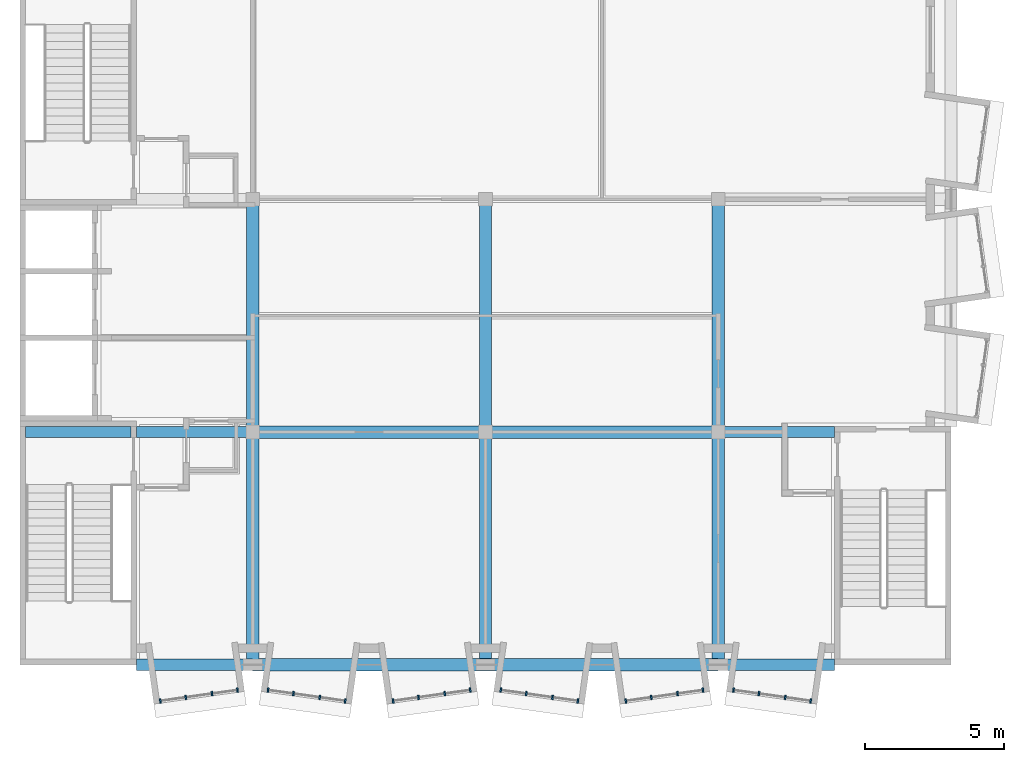
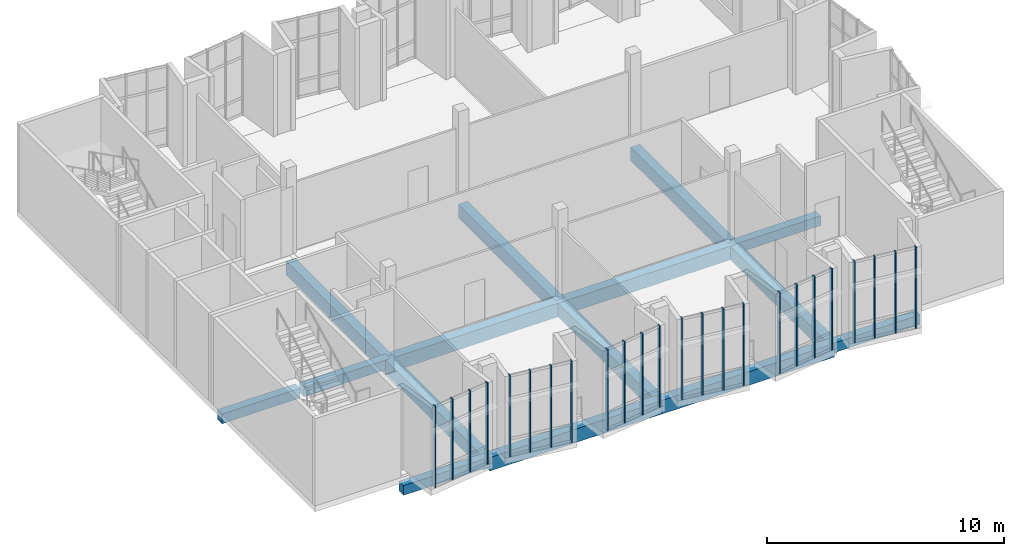
# One storey, part 2 of 18: 24 members, 15 beams, 6 elements without a shape of their own.
"""IFC4 building model written with IfcOpenShell, lengths in metres."""

import ifcopenshell
import ifcopenshell.guid

model = None  # the IFC model being written
_history = None  # IfcOwnerHistory: only IFC2X3 demands one
_inside = {}  # id of a spatial element -> (the spatial element, [elements in it])
_under = {}  # id of a project, library or spatial element -> (it, [spatial elements below it])
_declared = {}  # id of a project -> (the project, [libraries it declares])
_typed = {}  # id of a type object -> (the type object, [elements of that type])
_made_of = {}  # id of a material, layer set ... -> (it, [elements and type objects made of it])


def new_model(schema):
    """Start an empty IFC model of exactly this schema.

    Asked for "IFC4X3", IfcOpenShell would pick the latest addendum, in which some entities
    have other attributes; the version numbers below select the first issue.
    IFC2X3 requires an IfcOwnerHistory on every rooted entity: one is made here for all.
    """
    global model, _history
    if schema == "IFC4X3":
        model = ifcopenshell.file(schema_version=(4, 3, 0, 0))
    else:
        model = ifcopenshell.file(schema=schema)
    _inside.clear()
    _under.clear()
    _declared.clear()
    _typed.clear()
    _made_of.clear()
    _history = None
    if model.schema == "IFC2X3":
        org = make("IfcOrganization", Name="unknown")
        user = make(
            "IfcPersonAndOrganization",
            ThePerson=make("IfcPerson", FamilyName="unknown"),
            TheOrganization=org,
        )
        app = make(
            "IfcApplication",
            ApplicationDeveloper=org,
            Version="unknown",
            ApplicationFullName="unknown",
            ApplicationIdentifier="unknown",
        )
        _history = make(
            "IfcOwnerHistory",
            OwningUser=user,
            OwningApplication=app,
            ChangeAction="ADDED",
            CreationDate=0,
        )
    return model


def make(cls, **values):
    """One entity of the class cls with the attributes given. An attribute that is None is left unset."""
    return model.create_entity(
        cls, **{name: value for name, value in values.items() if value is not None}
    )


def rooted(cls, **values):
    """An entity with a GlobalId (a new one), such as an element, a storey or a relation."""
    return make(cls, GlobalId=ifcopenshell.guid.new(), OwnerHistory=_history, **values)


def si_unit(unit_type, name, prefix=None):
    """IfcSIUnit, for example si_unit("LENGTHUNIT", "METRE", prefix="MILLI")."""
    return make("IfcSIUnit", UnitType=unit_type, Prefix=prefix, Name=name)


def assignment(units):
    """IfcUnitAssignment: the units of a project."""
    return None if units is None else make("IfcUnitAssignment", Units=units)


def point(xyz):
    """IfcCartesianPoint."""
    return None if xyz is None else make("IfcCartesianPoint", Coordinates=xyz)


def direction(xyz):
    """IfcDirection."""
    return None if xyz is None else make("IfcDirection", DirectionRatios=xyz)


def frame(location, z_axis=None, x_axis=None):
    """IfcAxis2Placement3D, a coordinate frame: its origin and axes. An axis left out is left unset."""
    return make(
        "IfcAxis2Placement3D",
        Location=point(location),
        Axis=direction(z_axis),
        RefDirection=direction(x_axis),
    )


def frame_2d(location, x_axis=None):
    """IfcAxis2Placement2D, a coordinate frame in the plane: its origin and x axis."""
    return make(
        "IfcAxis2Placement2D", Location=point(location), RefDirection=direction(x_axis)
    )


def origin():
    """The frame at (0, 0, 0) with its axes left unset."""
    return frame((0.0, 0.0, 0.0))


def origin_2d():
    """The frame at (0, 0) in the plane with its x axis left unset."""
    return frame_2d((0.0, 0.0))


def place(relative_to, where):
    """IfcLocalPlacement: puts the frame where relative to a parent placement (None: the world)."""
    return make(
        "IfcLocalPlacement", PlacementRelTo=relative_to, RelativePlacement=where
    )


def context(
    kind, dimensions, precision=None, world=None, true_north=None, identifier=None
):
    """IfcGeometricRepresentationContext, for example the 3D "Model" context."""
    return make(
        "IfcGeometricRepresentationContext",
        ContextIdentifier=identifier,
        ContextType=kind,
        CoordinateSpaceDimension=dimensions,
        Precision=precision,
        WorldCoordinateSystem=world,
        TrueNorth=true_north,
    )


def subcontext(parent, identifier, kind, view, scale=None):
    """IfcGeometricRepresentationSubContext, for example "Body" below "Model"."""
    return make(
        "IfcGeometricRepresentationSubContext",
        ContextIdentifier=identifier,
        ContextType=kind,
        ParentContext=parent,
        TargetScale=scale,
        TargetView=view,
    )


def project(units=None, contexts=None):
    """IfcProject with its units and contexts."""
    return rooted(
        "IfcProject",
        Name="project",
        RepresentationContexts=contexts,
        UnitsInContext=assignment(units),
    )


def spatial(cls, under=None, at=None, **own):
    """A site, building, storey or space (cls), placed at a placement, below another one or the project."""
    s = rooted(cls, ObjectPlacement=at, **own)
    if under is not None:
        _under.setdefault(under.id(), (under, []))[1].append(s)
    return s


def profile(cls, at=None, kind="AREA", **sizes):
    """A parametric profile (cls). Its sizes go by their IFC names, for example OverallWidth=200.0."""
    return make(cls, ProfileType=kind, Position=at, **sizes)


def rectangle(**sizes):
    """IfcRectangleProfileDef."""
    return profile("IfcRectangleProfileDef", **sizes)


def extrude(swept, where, along, depth):
    """IfcExtrudedAreaSolid: the profile swept, set in the frame where, extruded along a direction by depth."""
    return make(
        "IfcExtrudedAreaSolid",
        SweptArea=swept,
        Position=where,
        ExtrudedDirection=direction(along),
        Depth=depth,
    )


def shape(context_of_items, identifier, shape_type, items):
    """IfcShapeRepresentation: the items that make up one representation, for example the "Body"."""
    return make(
        "IfcShapeRepresentation",
        ContextOfItems=context_of_items,
        RepresentationIdentifier=identifier,
        RepresentationType=shape_type,
        Items=items,
    )


def material(Name=None, Category=None):
    """IfcMaterial."""
    return make("IfcMaterial", Name=Name, Category=Category)


def layer(
    of_material, thickness, ventilated=None, Name=None, Category=None, Priority=None
):
    """IfcMaterialLayer: one layer of a wall or slab, of a material (None: an air gap)."""
    return make(
        "IfcMaterialLayer",
        Material=of_material,
        LayerThickness=thickness,
        IsVentilated=ventilated,
        Name=Name,
        Category=Category,
        Priority=Priority,
    )


def layer_set(layers, Name=None):
    """IfcMaterialLayerSet."""
    return make("IfcMaterialLayerSet", MaterialLayers=layers, LayerSetName=Name)


def material_profile(
    of_material, cross_section, Name=None, Category=None, Priority=None
):
    """IfcMaterialProfile: a cross section and its material."""
    return make(
        "IfcMaterialProfile",
        Name=Name,
        Material=of_material,
        Profile=cross_section,
        Priority=Priority,
        Category=Category,
    )


def profile_set(profiles, Name=None, composite=None):
    """IfcMaterialProfileSet."""
    return make(
        "IfcMaterialProfileSet",
        Name=Name,
        MaterialProfiles=profiles,
        CompositeProfile=composite,
    )


def made_of(thing, what):
    """Note that an element or type object is made of a material, layer set ...; save() writes the relation."""
    if what is not None:
        _made_of.setdefault(what.id(), (what, []))[1].append(thing)
    return thing


def type_object(cls, material=None, **own):
    """A type object (cls), such as IfcWallType, which elements share."""
    return made_of(rooted(cls, **own), material)


def element(
    cls,
    number,
    at=None,
    inside=None,
    cuts=None,
    type_object=None,
    material=None,
    context=None,
    identifier="Body",
    shape_type=None,
    held_by="IfcProductDefinitionShape",
    body=None,
    shapes=None,
    **own,
):
    """One element of the class cls, such as IfcWall. Its Tag is "e" and its number.

    at: its placement. inside: the storey or other place that contains it. cuts: it is an
    opening in that element (IfcRelVoidsElement). A single representation is given by context,
    identifier, shape_type and body (its items); several are given by shapes. held_by: the class
    of the entity that holds the representations. save() writes the other relations.
    """
    e = rooted(cls, Tag="e%d" % number, ObjectPlacement=at, **own)
    if body is not None:
        shapes = [shape(context, identifier, shape_type, body)]
    if shapes is not None:
        e.Representation = make(held_by, Representations=shapes)
    if inside is not None:
        _inside.setdefault(inside.id(), (inside, []))[1].append(e)
    if cuts is not None:
        rooted(
            "IfcRelVoidsElement", RelatingBuildingElement=cuts, RelatedOpeningElement=e
        )
    if type_object is not None:
        _typed.setdefault(type_object.id(), (type_object, []))[1].append(e)
    return made_of(e, material)


def aggregate(whole, parts):
    """IfcRelAggregates: a whole, such as a stair, and the parts it consists of."""
    return rooted("IfcRelAggregates", RelatingObject=whole, RelatedObjects=parts)


def save(model, path):
    """Write the relations noted so far, then the file.

    IfcRelAggregates (storeys below a building ...), IfcRelContainedInSpatialStructure (elements
    in a storey), IfcRelDefinesByType, IfcRelAssociatesMaterial and IfcRelDeclares: one each for
    every whole, place, type object, material and project.
    """
    for whole, parts in _under.values():
        aggregate(whole, parts)
    for where, things in _inside.values():
        rooted(
            "IfcRelContainedInSpatialStructure",
            RelatedElements=things,
            RelatingStructure=where,
        )
    for kind, things in _typed.values():
        rooted("IfcRelDefinesByType", RelatedObjects=things, RelatingType=kind)
    for what, things in _made_of.values():
        rooted("IfcRelAssociatesMaterial", RelatedObjects=things, RelatingMaterial=what)
    for by, libraries in _declared.values():
        rooted("IfcRelDeclares", RelatingContext=by, RelatedDefinitions=libraries)
    model.write(path)


model = new_model("IFC4")

# Units and contexts
model_context = context("Model", 3, precision=1e-05, world=origin(), true_north=direction((0.0, 1.0)))
body_context = subcontext(model_context, "Body", "Model", "MODEL_VIEW")
ifc_project = project(units=[si_unit("LENGTHUNIT", "METRE"), si_unit("AREAUNIT", "SQUARE_METRE"), si_unit("VOLUMEUNIT", "CUBIC_METRE"), si_unit("PLANEANGLEUNIT", "RADIAN"), si_unit("MASSUNIT", "GRAM", prefix="KILO")], contexts=[model_context])

# Site, building, storey
site_placement = place(None, origin())
site = spatial("IfcSite", under=ifc_project, at=site_placement, CompositionType="ELEMENT")
building_placement = place(site_placement, origin())
building = spatial("IfcBuilding", under=site, at=building_placement, Name="Kiln Court Media Centre", CompositionType="ELEMENT")
storey_placement = place(building_placement, frame((0.0, 0.0, 33.60009765625)))
storey = spatial("IfcBuildingStorey", under=building, at=storey_placement, Name="L07", CompositionType="ELEMENT", Elevation=33.60009765625)

# Curtain wall, members
ifc_material_1 = material(Name="Aluminium 6063-T6", Category="aluminium")
ifc_layer = layer(ifc_material_1, 0.1201171875)
ifc_layer_set = layer_set([ifc_layer], Name="Aluminium unitised bay curtain wall")
curtain_wall_type = type_object("IfcCurtainWallType", Name="Aluminium unitised bay curtain wall", PredefinedType="USERDEFINED", material=ifc_layer_set)
curtain_wall_1_placement = place(storey_placement, origin())
curtain_wall_1 = element("IfcCurtainWall", 1, at=curtain_wall_1_placement, inside=storey, type_object=curtain_wall_type, Name="BAY V6A-S-L07-47 front", ObjectType="UNITISED CURTAIN WALL", PredefinedType="USERDEFINED")
ifc_material_2 = material(Name="Aluminium 6063-T6", Category="aluminium")
ifc_material_profile_1 = material_profile(ifc_material_2, rectangle(XDim=0.06005859375, YDim=0.159912109375, at=origin_2d()), Name="Aluminium mullion 60x160")
ifc_profile_set_1 = profile_set([ifc_material_profile_1], Name="Aluminium 6063-T6")
member_type = type_object("IfcMemberType", Name="Aluminium mullion 60x160", PredefinedType="MULLION", material=ifc_profile_set_1)
member_1_placement = place(storey_placement, frame((5.064453125, -1.3046875, 0.0), z_axis=(0.0, 0.0, 1.0), x_axis=(0.990269562409, 0.139162472554, 0.0)))
member_1 = element("IfcMember", 2, at=member_1_placement, type_object=member_type, Name="CW7-11 mullion 1", PredefinedType="MULLION", context=body_context, shape_type="SweptSolid", body=[
    extrude(rectangle(XDim=0.06005859375, YDim=0.159912109375, at=origin_2d()), origin(), (0.0, 0.0, 1.0), 4.199951171875),
])
member_2_placement = place(storey_placement, frame((5.982177734375, -1.17578125, 0.0), z_axis=(0.0, 0.0, 1.0), x_axis=(0.990269562409, 0.139162472554, 0.0)))
member_2 = element("IfcMember", 3, at=member_2_placement, type_object=member_type, Name="CW7-11 mullion 2", PredefinedType="MULLION", context=body_context, shape_type="SweptSolid", body=[
    extrude(rectangle(XDim=0.06005859375, YDim=0.159912109375, at=origin_2d()), origin(), (0.0, 0.0, 1.0), 4.199951171875),
])
member_3_placement = place(storey_placement, frame((6.929443359375, -1.04248046875, 0.0), z_axis=(0.0, 0.0, 1.0), x_axis=(0.990269562409, 0.139162472554, 0.0)))
member_3 = element("IfcMember", 4, at=member_3_placement, type_object=member_type, Name="CW7-11 mullion 3", PredefinedType="MULLION", context=body_context, shape_type="SweptSolid", body=[
    extrude(rectangle(XDim=0.06005859375, YDim=0.159912109375, at=origin_2d()), origin(), (0.0, 0.0, 1.0), 4.199951171875),
])
member_4_placement = place(storey_placement, frame((7.84716796875, -0.91357421875, 0.0), z_axis=(0.0, 0.0, 1.0), x_axis=(0.990269562409, 0.139162472554, 0.0)))
member_4 = element("IfcMember", 5, at=member_4_placement, type_object=member_type, Name="CW7-11 mullion 4", PredefinedType="MULLION", context=body_context, shape_type="SweptSolid", body=[
    extrude(rectangle(XDim=0.06005859375, YDim=0.159912109375, at=origin_2d()), origin(), (0.0, 0.0, 1.0), 4.199951171875),
])
aggregate(curtain_wall_1, [member_1, member_2, member_3, member_4])

curtain_wall_2_placement = place(storey_placement, origin())
curtain_wall_2 = element("IfcCurtainWall", 6, at=curtain_wall_2_placement, inside=storey, type_object=curtain_wall_type, Name="BAY V6A-S-L07-48 front", ObjectType="UNITISED CURTAIN WALL", PredefinedType="USERDEFINED")
member_5_placement = place(storey_placement, frame((8.952880859375, -0.91357421875, 0.0), z_axis=(0.0, 0.0, 1.0), x_axis=(0.990269562409, -0.139162472554, 0.0)))
member_5 = element("IfcMember", 7, at=member_5_placement, type_object=member_type, Name="CW7-12 mullion 1", PredefinedType="MULLION", context=body_context, shape_type="SweptSolid", body=[
    extrude(rectangle(XDim=0.06005859375, YDim=0.159912109375, at=origin_2d()), origin(), (0.0, 0.0, 1.0), 4.199951171875),
])
member_6_placement = place(storey_placement, frame((9.870361328125, -1.04248046875, 0.0), z_axis=(0.0, 0.0, 1.0), x_axis=(0.990269562409, -0.139162472554, 0.0)))
member_6 = element("IfcMember", 8, at=member_6_placement, type_object=member_type, Name="CW7-12 mullion 2", PredefinedType="MULLION", context=body_context, shape_type="SweptSolid", body=[
    extrude(rectangle(XDim=0.06005859375, YDim=0.159912109375, at=origin_2d()), origin(), (0.0, 0.0, 1.0), 4.199951171875),
])
member_7_placement = place(storey_placement, frame((10.81787109375, -1.17578125, 0.0), z_axis=(0.0, 0.0, 1.0), x_axis=(0.990269562409, -0.139162472554, 0.0)))
member_7 = element("IfcMember", 9, at=member_7_placement, type_object=member_type, Name="CW7-12 mullion 3", PredefinedType="MULLION", context=body_context, shape_type="SweptSolid", body=[
    extrude(rectangle(XDim=0.06005859375, YDim=0.159912109375, at=origin_2d()), origin(), (0.0, 0.0, 1.0), 4.199951171875),
])
member_8_placement = place(storey_placement, frame((11.735595703125, -1.3046875, 0.0), z_axis=(0.0, 0.0, 1.0), x_axis=(0.990269562409, -0.139162472554, 0.0)))
member_8 = element("IfcMember", 10, at=member_8_placement, type_object=member_type, Name="CW7-12 mullion 4", PredefinedType="MULLION", context=body_context, shape_type="SweptSolid", body=[
    extrude(rectangle(XDim=0.06005859375, YDim=0.159912109375, at=origin_2d()), origin(), (0.0, 0.0, 1.0), 4.199951171875),
])
aggregate(curtain_wall_2, [member_5, member_6, member_7, member_8])

curtain_wall_3_placement = place(storey_placement, origin())
curtain_wall_3 = element("IfcCurtainWall", 11, at=curtain_wall_3_placement, inside=storey, type_object=curtain_wall_type, Name="BAY V6A-S-L07-49 front", ObjectType="UNITISED CURTAIN WALL", PredefinedType="USERDEFINED")
member_9_placement = place(storey_placement, frame((13.464599609375, -1.3046875, 0.0), z_axis=(0.0, 0.0, 1.0), x_axis=(0.990269562409, 0.139162472554, 0.0)))
member_9 = element("IfcMember", 12, at=member_9_placement, type_object=member_type, Name="CW7-13 mullion 1", PredefinedType="MULLION", context=body_context, shape_type="SweptSolid", body=[
    extrude(rectangle(XDim=0.06005859375, YDim=0.159912109375, at=origin_2d()), origin(), (0.0, 0.0, 1.0), 4.199951171875),
])
member_10_placement = place(storey_placement, frame((14.382080078125, -1.17578125, 0.0), z_axis=(0.0, 0.0, 1.0), x_axis=(0.990269562409, 0.139162472554, 0.0)))
member_10 = element("IfcMember", 13, at=member_10_placement, type_object=member_type, Name="CW7-13 mullion 2", PredefinedType="MULLION", context=body_context, shape_type="SweptSolid", body=[
    extrude(rectangle(XDim=0.06005859375, YDim=0.159912109375, at=origin_2d()), origin(), (0.0, 0.0, 1.0), 4.199951171875),
])
member_11_placement = place(storey_placement, frame((15.32958984375, -1.04248046875, 0.0), z_axis=(0.0, 0.0, 1.0), x_axis=(0.990269562409, 0.139162472554, 0.0)))
member_11 = element("IfcMember", 14, at=member_11_placement, type_object=member_type, Name="CW7-13 mullion 3", PredefinedType="MULLION", context=body_context, shape_type="SweptSolid", body=[
    extrude(rectangle(XDim=0.06005859375, YDim=0.159912109375, at=origin_2d()), origin(), (0.0, 0.0, 1.0), 4.199951171875),
])
member_12_placement = place(storey_placement, frame((16.2470703125, -0.91357421875, 0.0), z_axis=(0.0, 0.0, 1.0), x_axis=(0.990269562409, 0.139162472554, 0.0)))
member_12 = element("IfcMember", 15, at=member_12_placement, type_object=member_type, Name="CW7-13 mullion 4", PredefinedType="MULLION", context=body_context, shape_type="SweptSolid", body=[
    extrude(rectangle(XDim=0.06005859375, YDim=0.159912109375, at=origin_2d()), origin(), (0.0, 0.0, 1.0), 4.199951171875),
])
aggregate(curtain_wall_3, [member_9, member_10, member_11, member_12])

curtain_wall_4_placement = place(storey_placement, origin())
curtain_wall_4 = element("IfcCurtainWall", 16, at=curtain_wall_4_placement, inside=storey, type_object=curtain_wall_type, Name="BAY V6A-S-L07-50 front", ObjectType="UNITISED CURTAIN WALL", PredefinedType="USERDEFINED")
member_13_placement = place(storey_placement, frame((17.352783203125, -0.91357421875, 0.0), z_axis=(0.0, 0.0, 1.0), x_axis=(0.990269562409, -0.139162472554, 0.0)))
member_13 = element("IfcMember", 17, at=member_13_placement, type_object=member_type, Name="CW7-14 mullion 1", PredefinedType="MULLION", context=body_context, shape_type="SweptSolid", body=[
    extrude(rectangle(XDim=0.06005859375, YDim=0.159912109375, at=origin_2d()), origin(), (0.0, 0.0, 1.0), 4.199951171875),
])
member_14_placement = place(storey_placement, frame((18.2705078125, -1.04248046875, 0.0), z_axis=(0.0, 0.0, 1.0), x_axis=(0.990269562409, -0.139162472554, 0.0)))
member_14 = element("IfcMember", 18, at=member_14_placement, type_object=member_type, Name="CW7-14 mullion 2", PredefinedType="MULLION", context=body_context, shape_type="SweptSolid", body=[
    extrude(rectangle(XDim=0.06005859375, YDim=0.159912109375, at=origin_2d()), origin(), (0.0, 0.0, 1.0), 4.199951171875),
])
member_15_placement = place(storey_placement, frame((19.2177734375, -1.17578125, 0.0), z_axis=(0.0, 0.0, 1.0), x_axis=(0.990269562409, -0.139162472554, 0.0)))
member_15 = element("IfcMember", 19, at=member_15_placement, type_object=member_type, Name="CW7-14 mullion 3", PredefinedType="MULLION", context=body_context, shape_type="SweptSolid", body=[
    extrude(rectangle(XDim=0.06005859375, YDim=0.159912109375, at=origin_2d()), origin(), (0.0, 0.0, 1.0), 4.199951171875),
])
member_16_placement = place(storey_placement, frame((20.135498046875, -1.3046875, 0.0), z_axis=(0.0, 0.0, 1.0), x_axis=(0.990269562409, -0.139162472554, 0.0)))
member_16 = element("IfcMember", 20, at=member_16_placement, type_object=member_type, Name="CW7-14 mullion 4", PredefinedType="MULLION", context=body_context, shape_type="SweptSolid", body=[
    extrude(rectangle(XDim=0.06005859375, YDim=0.159912109375, at=origin_2d()), origin(), (0.0, 0.0, 1.0), 4.199951171875),
])
aggregate(curtain_wall_4, [member_13, member_14, member_15, member_16])

curtain_wall_5_placement = place(storey_placement, origin())
curtain_wall_5 = element("IfcCurtainWall", 21, at=curtain_wall_5_placement, inside=storey, type_object=curtain_wall_type, Name="BAY V6A-S-L07-51 front", ObjectType="UNITISED CURTAIN WALL", PredefinedType="USERDEFINED")
member_17_placement = place(storey_placement, frame((21.864501953125, -1.3046875, 0.0), z_axis=(0.0, 0.0, 1.0), x_axis=(0.990269562409, 0.139162472554, 0.0)))
member_17 = element("IfcMember", 22, at=member_17_placement, type_object=member_type, Name="CW7-15 mullion 1", PredefinedType="MULLION", context=body_context, shape_type="SweptSolid", body=[
    extrude(rectangle(XDim=0.06005859375, YDim=0.159912109375, at=origin_2d()), origin(), (0.0, 0.0, 1.0), 4.199951171875),
])
member_18_placement = place(storey_placement, frame((22.7822265625, -1.17578125, 0.0), z_axis=(0.0, 0.0, 1.0), x_axis=(0.990269562409, 0.139162472554, 0.0)))
member_18 = element("IfcMember", 23, at=member_18_placement, type_object=member_type, Name="CW7-15 mullion 2", PredefinedType="MULLION", context=body_context, shape_type="SweptSolid", body=[
    extrude(rectangle(XDim=0.06005859375, YDim=0.159912109375, at=origin_2d()), origin(), (0.0, 0.0, 1.0), 4.199951171875),
])
member_19_placement = place(storey_placement, frame((23.7294921875, -1.04248046875, 0.0), z_axis=(0.0, 0.0, 1.0), x_axis=(0.990269562409, 0.139162472554, 0.0)))
member_19 = element("IfcMember", 24, at=member_19_placement, type_object=member_type, Name="CW7-15 mullion 3", PredefinedType="MULLION", context=body_context, shape_type="SweptSolid", body=[
    extrude(rectangle(XDim=0.06005859375, YDim=0.159912109375, at=origin_2d()), origin(), (0.0, 0.0, 1.0), 4.199951171875),
])
member_20_placement = place(storey_placement, frame((24.647216796875, -0.91357421875, 0.0), z_axis=(0.0, 0.0, 1.0), x_axis=(0.990269562409, 0.139162472554, 0.0)))
member_20 = element("IfcMember", 25, at=member_20_placement, type_object=member_type, Name="CW7-15 mullion 4", PredefinedType="MULLION", context=body_context, shape_type="SweptSolid", body=[
    extrude(rectangle(XDim=0.06005859375, YDim=0.159912109375, at=origin_2d()), origin(), (0.0, 0.0, 1.0), 4.199951171875),
])
aggregate(curtain_wall_5, [member_17, member_18, member_19, member_20])

curtain_wall_6_placement = place(storey_placement, origin())
curtain_wall_6 = element("IfcCurtainWall", 26, at=curtain_wall_6_placement, inside=storey, type_object=curtain_wall_type, Name="BAY V6A-S-L07-52 front", ObjectType="UNITISED CURTAIN WALL", PredefinedType="USERDEFINED")
member_21_placement = place(storey_placement, frame((25.7529296875, -0.91357421875, 0.0), z_axis=(0.0, 0.0, 1.0), x_axis=(0.990269562409, -0.139162472554, 0.0)))
member_21 = element("IfcMember", 27, at=member_21_placement, type_object=member_type, Name="CW7-16 mullion 1", PredefinedType="MULLION", context=body_context, shape_type="SweptSolid", body=[
    extrude(rectangle(XDim=0.06005859375, YDim=0.159912109375, at=origin_2d()), origin(), (0.0, 0.0, 1.0), 4.199951171875),
])
member_22_placement = place(storey_placement, frame((26.67041015625, -1.04248046875, 0.0), z_axis=(0.0, 0.0, 1.0), x_axis=(0.990269562409, -0.139162472554, 0.0)))
member_22 = element("IfcMember", 28, at=member_22_placement, type_object=member_type, Name="CW7-16 mullion 2", PredefinedType="MULLION", context=body_context, shape_type="SweptSolid", body=[
    extrude(rectangle(XDim=0.06005859375, YDim=0.159912109375, at=origin_2d()), origin(), (0.0, 0.0, 1.0), 4.199951171875),
])
member_23_placement = place(storey_placement, frame((27.617919921875, -1.17578125, 0.0), z_axis=(0.0, 0.0, 1.0), x_axis=(0.990269562409, -0.139162472554, 0.0)))
member_23 = element("IfcMember", 29, at=member_23_placement, type_object=member_type, Name="CW7-16 mullion 3", PredefinedType="MULLION", context=body_context, shape_type="SweptSolid", body=[
    extrude(rectangle(XDim=0.06005859375, YDim=0.159912109375, at=origin_2d()), origin(), (0.0, 0.0, 1.0), 4.199951171875),
])
member_24_placement = place(storey_placement, frame((28.535400390625, -1.3046875, 0.0), z_axis=(0.0, 0.0, 1.0), x_axis=(0.990269562409, -0.139162472554, 0.0)))
member_24 = element("IfcMember", 30, at=member_24_placement, type_object=member_type, Name="CW7-16 mullion 4", PredefinedType="MULLION", context=body_context, shape_type="SweptSolid", body=[
    extrude(rectangle(XDim=0.06005859375, YDim=0.159912109375, at=origin_2d()), origin(), (0.0, 0.0, 1.0), 4.199951171875),
])
aggregate(curtain_wall_6, [member_21, member_22, member_23, member_24])

# Beams
ifc_material_3 = material(Name="Concrete C30/37", Category="concrete")
ifc_material_profile_2 = material_profile(ifc_material_3, rectangle(XDim=0.39990234375, YDim=0.5, at=origin_2d()), Name="RC 400x500")
ifc_profile_set_2 = profile_set([ifc_material_profile_2], Name="Concrete C30/37")
beam_type_1 = type_object("IfcBeamType", Name="Concrete C30/37 beam 400x500", PredefinedType="BEAM", material=ifc_profile_set_2)
for number, where, z_axis, x_axis, name in (
    (31, (4.199951171875, 0.0, -0.550048828125), (1.0, 0.0, 0.0), (0.0, 1.0, 0.0), "L07-B-1008"),
    (32, (25.199951171875, 0.0, -0.550048828125), (1.0, 0.0, 0.0), (0.0, 1.0, 0.0), "L07-B-1011"),
):
    element("IfcBeam", number, at=place(storey_placement, frame(where, z_axis=z_axis, x_axis=x_axis)), inside=storey, type_object=beam_type_1, Name=name, PredefinedType="BEAM", context=body_context, shape_type="SweptSolid", body=[
        extrude(rectangle(XDim=0.39990234375, YDim=0.5, at=origin_2d()), origin(), (0.0, 0.0, 1.0), 4.199951171875),
    ])
beam_1_placement = place(storey_placement, frame((0.199951171875, 8.39990234375, -0.550048828125), z_axis=(1.0, 0.0, 0.0), x_axis=(0.0, 1.0, 0.0)))
element("IfcBeam", 33, at=beam_1_placement, inside=storey, type_object=beam_type_1, Name="L07-B-1012", PredefinedType="BEAM", context=body_context, shape_type="SweptSolid", body=[
    extrude(rectangle(XDim=0.39990234375, YDim=0.5, at=origin_2d()), origin(), (0.0, 0.0, 1.0), 3.800048828125),
])
for number, where, z_axis, x_axis, name in (
    (34, (4.199951171875, 8.39990234375, -0.550048828125), (1.0, 0.0, 0.0), (0.0, 1.0, 0.0), "L07-B-1013"),
    (35, (25.199951171875, 8.39990234375, -0.550048828125), (1.0, 0.0, 0.0), (0.0, 1.0, 0.0), "L07-B-1016"),
):
    element("IfcBeam", number, at=place(storey_placement, frame(where, z_axis=z_axis, x_axis=x_axis)), inside=storey, type_object=beam_type_1, Name=name, PredefinedType="BEAM", context=body_context, shape_type="SweptSolid", body=[
        extrude(rectangle(XDim=0.39990234375, YDim=0.5, at=origin_2d()), origin(), (0.0, 0.0, 1.0), 4.199951171875),
    ])
ifc_material_4 = material(Name="Concrete C30/37", Category="concrete")
ifc_material_profile_3 = material_profile(ifc_material_4, rectangle(XDim=0.449951171875, YDim=0.699951171875, at=origin_2d()), Name="RC 450x700")
ifc_profile_set_3 = profile_set([ifc_material_profile_3], Name="Concrete C30/37")
beam_type_2 = type_object("IfcBeamType", Name="Concrete C30/37 beam 450x700", PredefinedType="BEAM", material=ifc_profile_set_3)
beam_2_placement = place(storey_placement, frame((8.39990234375, 0.0, -0.650146484375), z_axis=(0.0, 1.0, 0.0), x_axis=(-1.0, 0.0, 0.0)))
element("IfcBeam", 36, at=beam_2_placement, inside=storey, type_object=beam_type_2, Name="L07-B-1000", PredefinedType="BEAM", context=body_context, shape_type="SweptSolid", body=[
    extrude(rectangle(XDim=0.449951171875, YDim=0.699951171875, at=origin_2d()), origin(), (0.0, 0.0, 1.0), 8.39990234375),
])
beam_3_placement = place(storey_placement, frame((8.39990234375, 8.39990234375, -0.650146484375), z_axis=(0.0, 1.0, 0.0), x_axis=(-1.0, 0.0, 0.0)))
element("IfcBeam", 37, at=beam_3_placement, inside=storey, type_object=beam_type_2, Name="L07-B-1001", PredefinedType="BEAM", context=body_context, shape_type="SweptSolid", body=[
    extrude(rectangle(XDim=0.449951171875, YDim=0.699951171875, at=origin_2d()), origin(), (0.0, 0.0, 1.0), 8.2001953125),
])
beam_4_placement = place(storey_placement, frame((16.800048828125, 0.0, -0.650146484375), z_axis=(0.0, 1.0, 0.0), x_axis=(-1.0, 0.0, 0.0)))
element("IfcBeam", 38, at=beam_4_placement, inside=storey, type_object=beam_type_2, Name="L07-B-1002", PredefinedType="BEAM", context=body_context, shape_type="SweptSolid", body=[
    extrude(rectangle(XDim=0.449951171875, YDim=0.699951171875, at=origin_2d()), origin(), (0.0, 0.0, 1.0), 8.39990234375),
])
beam_5_placement = place(storey_placement, frame((16.800048828125, 8.39990234375, -0.650146484375), z_axis=(0.0, 1.0, 0.0), x_axis=(-1.0, 0.0, 0.0)))
element("IfcBeam", 39, at=beam_5_placement, inside=storey, type_object=beam_type_2, Name="L07-B-1003", PredefinedType="BEAM", context=body_context, shape_type="SweptSolid", body=[
    extrude(rectangle(XDim=0.449951171875, YDim=0.699951171875, at=origin_2d()), origin(), (0.0, 0.0, 1.0), 8.2001953125),
])
beam_6_placement = place(storey_placement, frame((25.199951171875, 0.0, -0.650146484375), z_axis=(0.0, 1.0, 0.0), x_axis=(-1.0, 0.0, 0.0)))
element("IfcBeam", 40, at=beam_6_placement, inside=storey, type_object=beam_type_2, Name="L07-B-1004", PredefinedType="BEAM", context=body_context, shape_type="SweptSolid", body=[
    extrude(rectangle(XDim=0.449951171875, YDim=0.699951171875, at=origin_2d()), origin(), (0.0, 0.0, 1.0), 8.39990234375),
])
beam_7_placement = place(storey_placement, frame((25.199951171875, 8.39990234375, -0.650146484375), z_axis=(0.0, 1.0, 0.0), x_axis=(-1.0, 0.0, 0.0)))
element("IfcBeam", 41, at=beam_7_placement, inside=storey, type_object=beam_type_2, Name="L07-B-1005", PredefinedType="BEAM", context=body_context, shape_type="SweptSolid", body=[
    extrude(rectangle(XDim=0.449951171875, YDim=0.699951171875, at=origin_2d()), origin(), (0.0, 0.0, 1.0), 8.2001953125),
])
beam_8_placement = place(storey_placement, frame((8.39990234375, 0.0, -0.650146484375), z_axis=(1.0, 0.0, 0.0), x_axis=(0.0, 1.0, 0.0)))
element("IfcBeam", 42, at=beam_8_placement, inside=storey, type_object=beam_type_2, Name="L07-B-1009", PredefinedType="BEAM", context=body_context, shape_type="SweptSolid", body=[
    extrude(rectangle(XDim=0.449951171875, YDim=0.699951171875, at=origin_2d()), origin(), (0.0, 0.0, 1.0), 8.400146484375),
])
beam_9_placement = place(storey_placement, frame((16.800048828125, 0.0, -0.650146484375), z_axis=(1.0, 0.0, 0.0), x_axis=(0.0, 1.0, 0.0)))
element("IfcBeam", 43, at=beam_9_placement, inside=storey, type_object=beam_type_2, Name="L07-B-1010", PredefinedType="BEAM", context=body_context, shape_type="SweptSolid", body=[
    extrude(rectangle(XDim=0.449951171875, YDim=0.699951171875, at=origin_2d()), origin(), (0.0, 0.0, 1.0), 8.39990234375),
])
beam_10_placement = place(storey_placement, frame((8.39990234375, 8.39990234375, -0.650146484375), z_axis=(1.0, 0.0, 0.0), x_axis=(0.0, 1.0, 0.0)))
element("IfcBeam", 44, at=beam_10_placement, inside=storey, type_object=beam_type_2, Name="L07-B-1014", PredefinedType="BEAM", context=body_context, shape_type="SweptSolid", body=[
    extrude(rectangle(XDim=0.449951171875, YDim=0.699951171875, at=origin_2d()), origin(), (0.0, 0.0, 1.0), 8.400146484375),
])
beam_11_placement = place(storey_placement, frame((16.800048828125, 8.39990234375, -0.650146484375), z_axis=(1.0, 0.0, 0.0), x_axis=(0.0, 1.0, 0.0)))
element("IfcBeam", 45, at=beam_11_placement, inside=storey, type_object=beam_type_2, Name="L07-B-1015", PredefinedType="BEAM", context=body_context, shape_type="SweptSolid", body=[
    extrude(rectangle(XDim=0.449951171875, YDim=0.699951171875, at=origin_2d()), origin(), (0.0, 0.0, 1.0), 8.39990234375),
])

save(model, "model.ifc")
